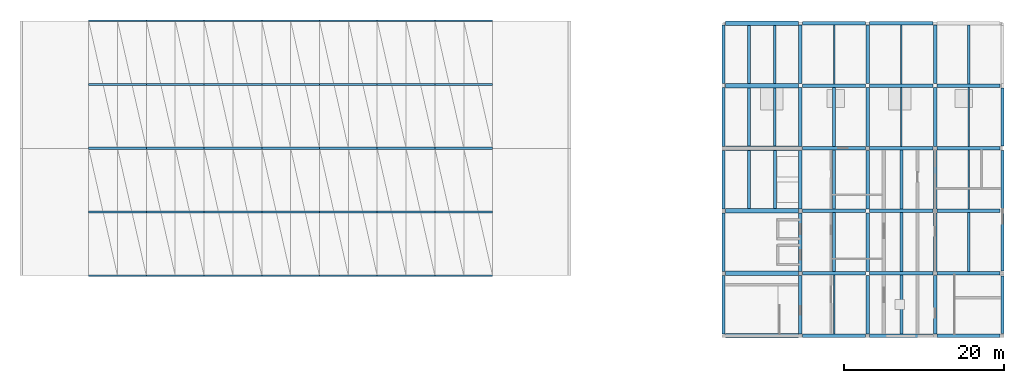
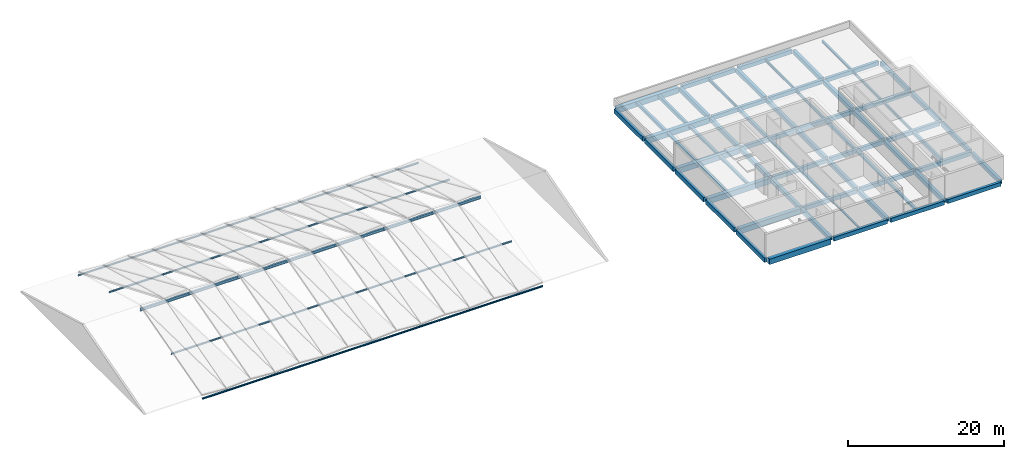
# One storey, part 1 of 6: 74 beams, 28 members.
"""IFC4 building model written with IfcOpenShell, lengths in metres."""

from ifc_helpers import new_model, si_unit, direction, frame, origin, origin_2d, place, context, subcontext, project, spatial, rectangle, i_section, extrude, material, material_profile, profile_set, type_object, element, save


model = new_model("IFC4")

# Units and contexts
model_context = context("Model", 3, precision=1e-05, world=origin(), true_north=direction((0.0, 1.0)))
body_context = subcontext(model_context, "Body", "Model", "MODEL_VIEW")
ifc_project = project(units=[si_unit("LENGTHUNIT", "METRE"), si_unit("AREAUNIT", "SQUARE_METRE"), si_unit("VOLUMEUNIT", "CUBIC_METRE"), si_unit("PLANEANGLEUNIT", "RADIAN"), si_unit("MASSUNIT", "GRAM", prefix="KILO")], contexts=[model_context])

# Site, building, storey
site_placement = place(None, origin())
site = spatial("IfcSite", under=ifc_project, at=site_placement, CompositionType="ELEMENT")
building_placement = place(site_placement, origin())
building = spatial("IfcBuilding", under=site, at=building_placement, Name="Pellamere Symphony Hall", CompositionType="ELEMENT")
storey_placement = place(building_placement, frame((0.0, 0.0, 28.5)))
storey = spatial("IfcBuildingStorey", under=building, at=storey_placement, Name="RF", CompositionType="ELEMENT", Elevation=28.5)

# Beams
ifc_material_1 = material(Name="Concrete 40 MPa", Category="concrete")
ifc_material_profile_1 = material_profile(ifc_material_1, rectangle(XDim=0.60009765625, YDim=0.85009765625, at=origin_2d()), Name="RC 600x850")
ifc_profile_set_1 = profile_set([ifc_material_profile_1], Name="Concrete 40 MPa")
beam_type_1 = type_object("IfcBeamType", Name="RC CB-04 600x850", PredefinedType="BEAM", material=ifc_profile_set_1)
for number, where, z_axis, x_axis, name in (
    (1, (138.25, 38.39990234375, -0.68505859375), (1.0, 0.0, 0.0), (0.0, 1.0, 0.0), "Girder CB-04-X2190 (RF)"),
    (2, (138.25, 46.199951171875, -0.68505859375), (1.0, 0.0, 0.0), (0.0, 1.0, 0.0), "Girder CB-04-X2194 (RF)"),
    (3, (138.25, 54.0, -0.68505859375), (1.0, 0.0, 0.0), (0.0, 1.0, 0.0), "Girder CB-04-X2198 (RF)"),
    (4, (138.25, 61.800048828125, -0.68505859375), (1.0, 0.0, 0.0), (0.0, 1.0, 0.0), "Girder CB-04-X2202 (RF)"),
    (5, (138.25, 69.60009765625, -0.68505859375), (1.0, 0.0, 0.0), (0.0, 1.0, 0.0), "Girder CB-04-X2206 (RF)"),
    (6, (138.25, 77.39990234375, -0.68505859375), (1.0, 0.0, 0.0), (0.0, 1.0, 0.0), "Girder CB-04-X2210 (RF)"),
):
    element("IfcBeam", number, at=place(storey_placement, frame(where, z_axis=z_axis, x_axis=x_axis)), inside=storey, type_object=beam_type_1, Name=name, PredefinedType="BEAM", context=body_context, shape_type="SweptSolid", body=[
        extrude(rectangle(XDim=0.60009765625, YDim=0.85009765625, at=origin_2d()), origin(), (0.0, 0.0, 1.0), 9.10009765625),
    ])
ifc_material_profile_2 = material_profile(ifc_material_1, rectangle(XDim=0.449951171875, YDim=0.64990234375, at=origin_2d()), Name="RC 450x650")
ifc_profile_set_2 = profile_set([ifc_material_profile_2], Name="Concrete 40 MPa")
beam_type_2 = type_object("IfcBeamType", Name="RC CB-08 450x650", PredefinedType="BEAM", material=ifc_profile_set_2)
for number, where, z_axis, x_axis, name in (
    (7, (147.60009765625, 38.64990234375, -0.5849609375), (0.0, 1.0, 0.0), (-1.0, 0.0, 0.0), "Girder CB-08-Y2219 (RF)"),
    (8, (147.60009765625, 46.449951171875, -0.5849609375), (0.0, 1.0, 0.0), (-1.0, 0.0, 0.0), "Girder CB-08-Y2220 (RF)"),
    (9, (147.60009765625, 54.25, -0.5849609375), (0.0, 1.0, 0.0), (-1.0, 0.0, 0.0), "Girder CB-08-Y2221 (RF)"),
    (10, (147.60009765625, 62.050048828125, -0.5849609375), (0.0, 1.0, 0.0), (-1.0, 0.0, 0.0), "Girder CB-08-Y2222 (RF)"),
):
    element("IfcBeam", number, at=place(storey_placement, frame(where, z_axis=z_axis, x_axis=x_axis)), inside=storey, type_object=beam_type_2, Name=name, PredefinedType="BEAM", context=body_context, shape_type="SweptSolid", body=[
        extrude(rectangle(XDim=0.449951171875, YDim=0.64990234375, at=origin_2d()), origin(), (0.0, 0.0, 1.0), 7.300048828125),
    ])
beam_1_placement = place(storey_placement, frame((147.60009765625, 69.85009765625, -0.5849609375), z_axis=(0.0, 1.0, 0.0), x_axis=(-1.0, 0.0, 0.0)))
element("IfcBeam", 11, at=beam_1_placement, inside=storey, type_object=beam_type_2, Name="Girder CB-08-Y2223 (RF)", PredefinedType="BEAM", context=body_context, shape_type="SweptSolid", body=[
    extrude(rectangle(XDim=0.449951171875, YDim=0.64990234375, at=origin_2d()), origin(), (0.0, 0.0, 1.0), 7.2998046875),
])
for number, where, z_axis, x_axis, name in (
    (12, (156.0, 38.64990234375, -0.5849609375), (0.0, 1.0, 0.0), (-1.0, 0.0, 0.0), "Girder CB-08-Y2224 (RF)"),
    (13, (156.0, 46.449951171875, -0.5849609375), (0.0, 1.0, 0.0), (-1.0, 0.0, 0.0), "Girder CB-08-Y2225 (RF)"),
    (14, (156.0, 54.25, -0.5849609375), (0.0, 1.0, 0.0), (-1.0, 0.0, 0.0), "Girder CB-08-Y2226 (RF)"),
    (15, (156.0, 62.050048828125, -0.5849609375), (0.0, 1.0, 0.0), (-1.0, 0.0, 0.0), "Girder CB-08-Y2227 (RF)"),
):
    element("IfcBeam", number, at=place(storey_placement, frame(where, z_axis=z_axis, x_axis=x_axis)), inside=storey, type_object=beam_type_2, Name=name, PredefinedType="BEAM", context=body_context, shape_type="SweptSolid", body=[
        extrude(rectangle(XDim=0.449951171875, YDim=0.64990234375, at=origin_2d()), origin(), (0.0, 0.0, 1.0), 7.300048828125),
    ])
beam_2_placement = place(storey_placement, frame((156.0, 69.85009765625, -0.5849609375), z_axis=(0.0, 1.0, 0.0), x_axis=(-1.0, 0.0, 0.0)))
element("IfcBeam", 16, at=beam_2_placement, inside=storey, type_object=beam_type_2, Name="Girder CB-08-Y2228 (RF)", PredefinedType="BEAM", context=body_context, shape_type="SweptSolid", body=[
    extrude(rectangle(XDim=0.449951171875, YDim=0.64990234375, at=origin_2d()), origin(), (0.0, 0.0, 1.0), 7.2998046875),
])
for number, where, z_axis, x_axis, name in (
    (17, (164.39990234375, 38.64990234375, -0.5849609375), (0.0, 1.0, 0.0), (-1.0, 0.0, 0.0), "Girder CB-08-Y2229 (RF)"),
    (18, (164.39990234375, 46.449951171875, -0.5849609375), (0.0, 1.0, 0.0), (-1.0, 0.0, 0.0), "Girder CB-08-Y2230 (RF)"),
    (19, (164.39990234375, 54.25, -0.5849609375), (0.0, 1.0, 0.0), (-1.0, 0.0, 0.0), "Girder CB-08-Y2231 (RF)"),
    (20, (164.39990234375, 62.050048828125, -0.5849609375), (0.0, 1.0, 0.0), (-1.0, 0.0, 0.0), "Girder CB-08-Y2232 (RF)"),
):
    element("IfcBeam", number, at=place(storey_placement, frame(where, z_axis=z_axis, x_axis=x_axis)), inside=storey, type_object=beam_type_2, Name=name, PredefinedType="BEAM", context=body_context, shape_type="SweptSolid", body=[
        extrude(rectangle(XDim=0.449951171875, YDim=0.64990234375, at=origin_2d()), origin(), (0.0, 0.0, 1.0), 7.300048828125),
    ])
beam_3_placement = place(storey_placement, frame((164.39990234375, 69.85009765625, -0.5849609375), z_axis=(0.0, 1.0, 0.0), x_axis=(-1.0, 0.0, 0.0)))
element("IfcBeam", 21, at=beam_3_placement, inside=storey, type_object=beam_type_2, Name="Girder CB-08-Y2233 (RF)", PredefinedType="BEAM", context=body_context, shape_type="SweptSolid", body=[
    extrude(rectangle(XDim=0.449951171875, YDim=0.64990234375, at=origin_2d()), origin(), (0.0, 0.0, 1.0), 7.2998046875),
])
ifc_material_2 = material(Name="Concrete 35 MPa", Category="concrete")
ifc_material_profile_3 = material_profile(ifc_material_2, rectangle(XDim=0.35009765625, YDim=0.5, at=origin_2d()), Name="RC 350x500")
ifc_profile_set_3 = profile_set([ifc_material_profile_3], Name="Concrete 35 MPa")
beam_type_3 = type_object("IfcBeamType", Name="RC CB-11 350x500", PredefinedType="BEAM", material=ifc_profile_set_3)
for number, where, z_axis, x_axis, name in (
    (22, (141.199951171875, 69.89990234375, -0.52490234375), (0.0, 1.0, 0.0), (-1.0, 0.0, 0.0), "Secondary Floor Beam CB-11-A1709 (RF)"),
    (23, (144.39990234375, 69.89990234375, -0.52490234375), (0.0, 1.0, 0.0), (-1.0, 0.0, 0.0), "Secondary Floor Beam CB-11-B1709 (RF)"),
):
    element("IfcBeam", number, at=place(storey_placement, frame(where, z_axis=z_axis, x_axis=x_axis)), inside=storey, type_object=beam_type_3, Name=name, PredefinedType="BEAM", context=body_context, shape_type="SweptSolid", body=[
        extrude(rectangle(XDim=0.35009765625, YDim=0.5, at=origin_2d()), origin(), (0.0, 0.0, 1.0), 7.2001953125),
    ])
beam_4_placement = place(storey_placement, frame((151.800048828125, 62.010009765625, -0.52490234375), z_axis=(0.0, 1.0, 0.0), x_axis=(-1.0, 0.0, 0.0)))
element("IfcBeam", 24, at=beam_4_placement, inside=storey, type_object=beam_type_3, Name="Secondary Floor Beam CB-11-M1808 (RF)", PredefinedType="BEAM", context=body_context, shape_type="SweptSolid", body=[
    extrude(rectangle(XDim=0.35009765625, YDim=0.5, at=origin_2d()), origin(), (0.0, 0.0, 1.0), 7.3798828125),
])
for number, where, z_axis, x_axis, name in (
    (25, (160.199951171875, 54.2099609375, -0.52490234375), (0.0, 1.0, 0.0), (-1.0, 0.0, 0.0), "Secondary Floor Beam CB-11-M1907 (RF)"),
    (26, (168.60009765625, 46.409912109375, -0.52490234375), (0.0, 1.0, 0.0), (-1.0, 0.0, 0.0), "Secondary Floor Beam CB-11-M2006 (RF)"),
):
    element("IfcBeam", number, at=place(storey_placement, frame(where, z_axis=z_axis, x_axis=x_axis)), inside=storey, type_object=beam_type_3, Name=name, PredefinedType="BEAM", context=body_context, shape_type="SweptSolid", body=[
        extrude(rectangle(XDim=0.35009765625, YDim=0.5, at=origin_2d()), origin(), (0.0, 0.0, 1.0), 7.380126953125),
    ])
ifc_material_profile_4 = material_profile(ifc_material_1, rectangle(XDim=0.39990234375, YDim=0.699951171875, at=origin_2d()), Name="RC 400x700")
ifc_profile_set_4 = profile_set([ifc_material_profile_4], Name="Concrete 40 MPa")
beam_type_4 = type_object("IfcBeamType", Name="RC CB-13 400x700", PredefinedType="SPANDREL", material=ifc_profile_set_4)
for number, where, z_axis, x_axis, name in (
    (27, (138.0, 38.64990234375, -0.610107421875), (0.0, 1.0, 0.0), (-1.0, 0.0, 0.0), "Girder CB-13-Y2214 (RF)"),
    (28, (138.0, 46.449951171875, -0.610107421875), (0.0, 1.0, 0.0), (-1.0, 0.0, 0.0), "Girder CB-13-Y2215 (RF)"),
    (29, (138.0, 54.25, -0.610107421875), (0.0, 1.0, 0.0), (-1.0, 0.0, 0.0), "Girder CB-13-Y2216 (RF)"),
    (30, (138.0, 62.050048828125, -0.610107421875), (0.0, 1.0, 0.0), (-1.0, 0.0, 0.0), "Girder CB-13-Y2217 (RF)"),
):
    element("IfcBeam", number, at=place(storey_placement, frame(where, z_axis=z_axis, x_axis=x_axis)), inside=storey, type_object=beam_type_4, Name=name, PredefinedType="SPANDREL", context=body_context, shape_type="SweptSolid", body=[
        extrude(rectangle(XDim=0.39990234375, YDim=0.699951171875, at=origin_2d()), origin(), (0.0, 0.0, 1.0), 7.300048828125),
    ])
beam_5_placement = place(storey_placement, frame((138.0, 69.85009765625, -0.610107421875), z_axis=(0.0, 1.0, 0.0), x_axis=(-1.0, 0.0, 0.0)))
element("IfcBeam", 31, at=beam_5_placement, inside=storey, type_object=beam_type_4, Name="Girder CB-13-Y2218 (RF)", PredefinedType="SPANDREL", context=body_context, shape_type="SweptSolid", body=[
    extrude(rectangle(XDim=0.39990234375, YDim=0.699951171875, at=origin_2d()), origin(), (0.0, 0.0, 1.0), 7.2998046875),
])
for number, where, z_axis, x_axis, name in (
    (32, (172.800048828125, 38.7099609375, -0.610107421875), (0.0, 1.0, 0.0), (-1.0, 0.0, 0.0), "Girder CB-13-Y2234 (RF)"),
    (33, (172.800048828125, 46.510009765625, -0.610107421875), (0.0, 1.0, 0.0), (-1.0, 0.0, 0.0), "Girder CB-13-Y2235 (RF)"),
    (34, (172.800048828125, 54.31005859375, -0.610107421875), (0.0, 1.0, 0.0), (-1.0, 0.0, 0.0), "Girder CB-13-Y2236 (RF)"),
    (35, (172.800048828125, 62.110107421875, -0.610107421875), (0.0, 1.0, 0.0), (-1.0, 0.0, 0.0), "Girder CB-13-Y2237 (RF)"),
):
    element("IfcBeam", number, at=place(storey_placement, frame(where, z_axis=z_axis, x_axis=x_axis)), inside=storey, type_object=beam_type_4, Name=name, PredefinedType="SPANDREL", context=body_context, shape_type="SweptSolid", body=[
        extrude(rectangle(XDim=0.39990234375, YDim=0.699951171875, at=origin_2d()), origin(), (0.0, 0.0, 1.0), 7.179931640625),
    ])
ifc_material_profile_5 = material_profile(ifc_material_1, rectangle(XDim=0.419921875, YDim=0.6201171875, at=origin_2d()), Name="RC 420x620")
ifc_profile_set_5 = profile_set([ifc_material_profile_5], Name="Concrete 40 MPa")
beam_type_5 = type_object("IfcBeamType", Name="RC CB-16 420x620", PredefinedType="BEAM", material=ifc_profile_set_5)
for number, where, z_axis, x_axis, name in (
    (36, (147.85009765625, 38.39990234375, -0.570068359375), (1.0, 0.0, 0.0), (0.0, 1.0, 0.0), "Girder CB-16-X2191 (RF)"),
    (37, (156.25, 38.39990234375, -0.570068359375), (1.0, 0.0, 0.0), (0.0, 1.0, 0.0), "Girder CB-16-X2192 (RF)"),
):
    element("IfcBeam", number, at=place(storey_placement, frame(where, z_axis=z_axis, x_axis=x_axis)), inside=storey, type_object=beam_type_5, Name=name, PredefinedType="BEAM", context=body_context, shape_type="SweptSolid", body=[
        extrude(rectangle(XDim=0.419921875, YDim=0.6201171875, at=origin_2d()), origin(), (0.0, 0.0, 1.0), 7.89990234375),
    ])
beam_6_placement = place(storey_placement, frame((164.64990234375, 38.39990234375, -0.570068359375), z_axis=(1.0, 0.0, 0.0), x_axis=(0.0, 1.0, 0.0)))
element("IfcBeam", 38, at=beam_6_placement, inside=storey, type_object=beam_type_5, Name="Girder CB-16-X2193 (RF)", PredefinedType="BEAM", context=body_context, shape_type="SweptSolid", body=[
    extrude(rectangle(XDim=0.419921875, YDim=0.6201171875, at=origin_2d()), origin(), (0.0, 0.0, 1.0), 7.840087890625),
])
for number, where, z_axis, x_axis, name in (
    (39, (147.85009765625, 46.199951171875, -0.570068359375), (1.0, 0.0, 0.0), (0.0, 1.0, 0.0), "Girder CB-16-X2195 (RF)"),
    (40, (156.25, 46.199951171875, -0.570068359375), (1.0, 0.0, 0.0), (0.0, 1.0, 0.0), "Girder CB-16-X2196 (RF)"),
):
    element("IfcBeam", number, at=place(storey_placement, frame(where, z_axis=z_axis, x_axis=x_axis)), inside=storey, type_object=beam_type_5, Name=name, PredefinedType="BEAM", context=body_context, shape_type="SweptSolid", body=[
        extrude(rectangle(XDim=0.419921875, YDim=0.6201171875, at=origin_2d()), origin(), (0.0, 0.0, 1.0), 7.89990234375),
    ])
beam_7_placement = place(storey_placement, frame((164.64990234375, 46.199951171875, -0.570068359375), z_axis=(1.0, 0.0, 0.0), x_axis=(0.0, 1.0, 0.0)))
element("IfcBeam", 41, at=beam_7_placement, inside=storey, type_object=beam_type_5, Name="Girder CB-16-X2197 (RF)", PredefinedType="BEAM", context=body_context, shape_type="SweptSolid", body=[
    extrude(rectangle(XDim=0.419921875, YDim=0.6201171875, at=origin_2d()), origin(), (0.0, 0.0, 1.0), 7.840087890625),
])
for number, where, z_axis, x_axis, name in (
    (42, (147.85009765625, 54.0, -0.570068359375), (1.0, 0.0, 0.0), (0.0, 1.0, 0.0), "Girder CB-16-X2199 (RF)"),
    (43, (156.25, 54.0, -0.570068359375), (1.0, 0.0, 0.0), (0.0, 1.0, 0.0), "Girder CB-16-X2200 (RF)"),
):
    element("IfcBeam", number, at=place(storey_placement, frame(where, z_axis=z_axis, x_axis=x_axis)), inside=storey, type_object=beam_type_5, Name=name, PredefinedType="BEAM", context=body_context, shape_type="SweptSolid", body=[
        extrude(rectangle(XDim=0.419921875, YDim=0.6201171875, at=origin_2d()), origin(), (0.0, 0.0, 1.0), 7.89990234375),
    ])
beam_8_placement = place(storey_placement, frame((164.64990234375, 54.0, -0.570068359375), z_axis=(1.0, 0.0, 0.0), x_axis=(0.0, 1.0, 0.0)))
element("IfcBeam", 44, at=beam_8_placement, inside=storey, type_object=beam_type_5, Name="Girder CB-16-X2201 (RF)", PredefinedType="BEAM", context=body_context, shape_type="SweptSolid", body=[
    extrude(rectangle(XDim=0.419921875, YDim=0.6201171875, at=origin_2d()), origin(), (0.0, 0.0, 1.0), 7.840087890625),
])
for number, where, z_axis, x_axis, name in (
    (45, (147.85009765625, 61.800048828125, -0.570068359375), (1.0, 0.0, 0.0), (0.0, 1.0, 0.0), "Girder CB-16-X2203 (RF)"),
    (46, (156.25, 61.800048828125, -0.570068359375), (1.0, 0.0, 0.0), (0.0, 1.0, 0.0), "Girder CB-16-X2204 (RF)"),
):
    element("IfcBeam", number, at=place(storey_placement, frame(where, z_axis=z_axis, x_axis=x_axis)), inside=storey, type_object=beam_type_5, Name=name, PredefinedType="BEAM", context=body_context, shape_type="SweptSolid", body=[
        extrude(rectangle(XDim=0.419921875, YDim=0.6201171875, at=origin_2d()), origin(), (0.0, 0.0, 1.0), 7.89990234375),
    ])
beam_9_placement = place(storey_placement, frame((164.64990234375, 61.800048828125, -0.570068359375), z_axis=(1.0, 0.0, 0.0), x_axis=(0.0, 1.0, 0.0)))
element("IfcBeam", 47, at=beam_9_placement, inside=storey, type_object=beam_type_5, Name="Girder CB-16-X2205 (RF)", PredefinedType="BEAM", context=body_context, shape_type="SweptSolid", body=[
    extrude(rectangle(XDim=0.419921875, YDim=0.6201171875, at=origin_2d()), origin(), (0.0, 0.0, 1.0), 7.840087890625),
])
for number, where, z_axis, x_axis, name in (
    (48, (147.85009765625, 69.60009765625, -0.570068359375), (1.0, 0.0, 0.0), (0.0, 1.0, 0.0), "Girder CB-16-X2207 (RF)"),
    (49, (156.25, 69.60009765625, -0.570068359375), (1.0, 0.0, 0.0), (0.0, 1.0, 0.0), "Girder CB-16-X2208 (RF)"),
):
    element("IfcBeam", number, at=place(storey_placement, frame(where, z_axis=z_axis, x_axis=x_axis)), inside=storey, type_object=beam_type_5, Name=name, PredefinedType="BEAM", context=body_context, shape_type="SweptSolid", body=[
        extrude(rectangle(XDim=0.419921875, YDim=0.6201171875, at=origin_2d()), origin(), (0.0, 0.0, 1.0), 7.89990234375),
    ])
beam_10_placement = place(storey_placement, frame((164.64990234375, 69.60009765625, -0.570068359375), z_axis=(1.0, 0.0, 0.0), x_axis=(0.0, 1.0, 0.0)))
element("IfcBeam", 50, at=beam_10_placement, inside=storey, type_object=beam_type_5, Name="Girder CB-16-X2209 (RF)", PredefinedType="BEAM", context=body_context, shape_type="SweptSolid", body=[
    extrude(rectangle(XDim=0.419921875, YDim=0.6201171875, at=origin_2d()), origin(), (0.0, 0.0, 1.0), 7.840087890625),
])
for number, where, z_axis, x_axis, name in (
    (51, (147.85009765625, 77.39990234375, -0.570068359375), (1.0, 0.0, 0.0), (0.0, 1.0, 0.0), "Girder CB-16-X2211 (RF)"),
    (52, (156.25, 77.39990234375, -0.570068359375), (1.0, 0.0, 0.0), (0.0, 1.0, 0.0), "Girder CB-16-X2212 (RF)"),
):
    element("IfcBeam", number, at=place(storey_placement, frame(where, z_axis=z_axis, x_axis=x_axis)), inside=storey, type_object=beam_type_5, Name=name, PredefinedType="BEAM", context=body_context, shape_type="SweptSolid", body=[
        extrude(rectangle(XDim=0.419921875, YDim=0.6201171875, at=origin_2d()), origin(), (0.0, 0.0, 1.0), 7.89990234375),
    ])
ifc_material_3 = material(Name="Steel CSA G40.21 350W", Category="steel")
ifc_material_profile_6 = material_profile(ifc_material_3, i_section(OverallWidth=0.260986328125, OverallDepth=0.419921875, WebThickness=0.01171875, FlangeThickness=0.019287109375, at=origin_2d()), Name="W410X114")
ifc_profile_set_6 = profile_set([ifc_material_profile_6], Name="Steel CSA G40.21 350W")
beam_type_6 = type_object("IfcBeamType", Name="Steel Beam SB-18 W410X114", PredefinedType="BEAM", material=ifc_profile_set_6)
for number, where, z_axis, x_axis, name in (
    (53, (58.800048828125, 61.800048828125, 5.284912109375), (1.0, 0.0, 0.0), (0.0, 1.0, 0.0), "Roof Truss Ridge Girder 1"),
    (54, (66.0, 61.800048828125, 5.284912109375), (1.0, 0.0, 0.0), (0.0, 1.0, 0.0), "Roof Truss Ridge Girder 2"),
    (55, (73.199951171875, 61.800048828125, 5.284912109375), (1.0, 0.0, 0.0), (0.0, 1.0, 0.0), "Roof Truss Ridge Girder 3"),
):
    element("IfcBeam", number, at=place(storey_placement, frame(where, z_axis=z_axis, x_axis=x_axis)), inside=storey, type_object=beam_type_6, Name=name, PredefinedType="BEAM", context=body_context, shape_type="SweptSolid", body=[
        extrude(i_section(OverallWidth=0.260986328125, OverallDepth=0.419921875, WebThickness=0.01171875, FlangeThickness=0.019287109375, at=origin_2d()), origin(), (0.0, 0.0, 1.0), 7.199951171875),
    ])
beam_11_placement = place(storey_placement, frame((80.39990234375, 61.800048828125, 5.284912109375), z_axis=(1.0, 0.0, 0.0), x_axis=(0.0, 1.0, 0.0)))
element("IfcBeam", 56, at=beam_11_placement, inside=storey, type_object=beam_type_6, Name="Roof Truss Ridge Girder 4", PredefinedType="BEAM", context=body_context, shape_type="SweptSolid", body=[
    extrude(i_section(OverallWidth=0.260986328125, OverallDepth=0.419921875, WebThickness=0.01171875, FlangeThickness=0.019287109375, at=origin_2d()), origin(), (0.0, 0.0, 1.0), 7.2001953125),
])
for number, where, z_axis, x_axis, name in (
    (57, (87.60009765625, 61.800048828125, 5.284912109375), (1.0, 0.0, 0.0), (0.0, 1.0, 0.0), "Roof Truss Ridge Girder 5"),
    (58, (94.800048828125, 61.800048828125, 5.284912109375), (1.0, 0.0, 0.0), (0.0, 1.0, 0.0), "Roof Truss Ridge Girder 6"),
    (59, (102.0, 61.800048828125, 5.284912109375), (1.0, 0.0, 0.0), (0.0, 1.0, 0.0), "Roof Truss Ridge Girder 7"),
):
    element("IfcBeam", number, at=place(storey_placement, frame(where, z_axis=z_axis, x_axis=x_axis)), inside=storey, type_object=beam_type_6, Name=name, PredefinedType="BEAM", context=body_context, shape_type="SweptSolid", body=[
        extrude(i_section(OverallWidth=0.260986328125, OverallDepth=0.419921875, WebThickness=0.01171875, FlangeThickness=0.019287109375, at=origin_2d()), origin(), (0.0, 0.0, 1.0), 7.199951171875),
    ])
ifc_material_profile_7 = material_profile(ifc_material_3, i_section(OverallWidth=0.3740234375, OverallDepth=0.3720703125, WebThickness=0.016357421875, FlangeThickness=0.026123046875, at=origin_2d()), Name="W360X196")
ifc_profile_set_7 = profile_set([ifc_material_profile_7], Name="Steel CSA G40.21 350W")
beam_type_7 = type_object("IfcBeamType", Name="Steel Beam SB-27 W360X196", PredefinedType="BEAM", material=ifc_profile_set_7)
for number, where, z_axis, x_axis, name in (
    (60, (141.199951171875, 54.300048828125, -0.4609375), (0.0, 1.0, 0.0), (-1.0, 0.0, 0.0), "Secondary Floor Beam SB-27-A1707 (RF)"),
    (61, (144.39990234375, 54.300048828125, -0.4609375), (0.0, 1.0, 0.0), (-1.0, 0.0, 0.0), "Secondary Floor Beam SB-27-B1707 (RF)"),
):
    element("IfcBeam", number, at=place(storey_placement, frame(where, z_axis=z_axis, x_axis=x_axis)), inside=storey, type_object=beam_type_7, Name=name, PredefinedType="BEAM", context=body_context, shape_type="SweptSolid", body=[
        extrude(i_section(OverallWidth=0.3740234375, OverallDepth=0.3720703125, WebThickness=0.016357421875, FlangeThickness=0.026123046875, at=origin_2d()), origin(), (0.0, 0.0, 1.0), 7.199951171875),
    ])
beam_12_placement = place(storey_placement, frame((151.800048828125, 46.409912109375, -0.4609375), z_axis=(0.0, 1.0, 0.0), x_axis=(-1.0, 0.0, 0.0)))
element("IfcBeam", 62, at=beam_12_placement, inside=storey, type_object=beam_type_7, Name="Secondary Floor Beam SB-27-M1806 (RF)", PredefinedType="BEAM", context=body_context, shape_type="SweptSolid", body=[
    extrude(i_section(OverallWidth=0.3740234375, OverallDepth=0.3720703125, WebThickness=0.016357421875, FlangeThickness=0.026123046875, at=origin_2d()), origin(), (0.0, 0.0, 1.0), 7.380126953125),
])
beam_13_placement = place(storey_placement, frame((160.199951171875, 38.610107421875, -0.4609375), z_axis=(0.0, 1.0, 0.0), x_axis=(-1.0, 0.0, 0.0)))
element("IfcBeam", 63, at=beam_13_placement, inside=storey, type_object=beam_type_7, Name="Secondary Floor Beam SB-27-M1905 (RF)", PredefinedType="BEAM", context=body_context, shape_type="SweptSolid", body=[
    extrude(i_section(OverallWidth=0.3740234375, OverallDepth=0.3720703125, WebThickness=0.016357421875, FlangeThickness=0.026123046875, at=origin_2d()), origin(), (0.0, 0.0, 1.0), 7.3798828125),
])
ifc_material_profile_8 = material_profile(ifc_material_3, i_section(OverallWidth=0.368896484375, OverallDepth=0.35595703125, WebThickness=0.01123046875, FlangeThickness=0.01806640625, at=origin_2d()), Name="W360X134")
ifc_profile_set_8 = profile_set([ifc_material_profile_8], Name="Steel CSA G40.21 350W")
beam_type_8 = type_object("IfcBeamType", Name="Steel Beam SB-28 W360X134", PredefinedType="BEAM", material=ifc_profile_set_8)
for number, where, z_axis, x_axis, name in (
    (64, (141.199951171875, 62.10009765625, -0.452880859375), (0.0, 1.0, 0.0), (-1.0, 0.0, 0.0), "Secondary Floor Beam SB-28-A1708 (RF)"),
    (65, (144.39990234375, 62.10009765625, -0.452880859375), (0.0, 1.0, 0.0), (-1.0, 0.0, 0.0), "Secondary Floor Beam SB-28-B1708 (RF)"),
):
    element("IfcBeam", number, at=place(storey_placement, frame(where, z_axis=z_axis, x_axis=x_axis)), inside=storey, type_object=beam_type_8, Name=name, PredefinedType="BEAM", context=body_context, shape_type="SweptSolid", body=[
        extrude(i_section(OverallWidth=0.368896484375, OverallDepth=0.35595703125, WebThickness=0.01123046875, FlangeThickness=0.01806640625, at=origin_2d()), origin(), (0.0, 0.0, 1.0), 7.199951171875),
    ])
for number, where, z_axis, x_axis, name in (
    (66, (151.800048828125, 54.2099609375, -0.452880859375), (0.0, 1.0, 0.0), (-1.0, 0.0, 0.0), "Secondary Floor Beam SB-28-M1807 (RF)"),
    (67, (160.199951171875, 46.409912109375, -0.452880859375), (0.0, 1.0, 0.0), (-1.0, 0.0, 0.0), "Secondary Floor Beam SB-28-M1906 (RF)"),
):
    element("IfcBeam", number, at=place(storey_placement, frame(where, z_axis=z_axis, x_axis=x_axis)), inside=storey, type_object=beam_type_8, Name=name, PredefinedType="BEAM", context=body_context, shape_type="SweptSolid", body=[
        extrude(i_section(OverallWidth=0.368896484375, OverallDepth=0.35595703125, WebThickness=0.01123046875, FlangeThickness=0.01806640625, at=origin_2d()), origin(), (0.0, 0.0, 1.0), 7.380126953125),
    ])
ifc_material_profile_9 = material_profile(ifc_material_3, i_section(OverallWidth=0.19091796875, OverallDepth=0.4599609375, WebThickness=0.010009765625, FlangeThickness=0.014404296875, at=origin_2d()), Name="W460X82")
ifc_profile_set_9 = profile_set([ifc_material_profile_9], Name="Steel CSA G40.21 350W")
beam_type_9 = type_object("IfcBeamType", Name="Steel Joist SB-17 W460X82", PredefinedType="JOIST", material=ifc_profile_set_9)
for number, where, z_axis, x_axis, name in (
    (68, (151.800048828125, 69.81005859375, -0.5048828125), (0.0, 1.0, 0.0), (-1.0, 0.0, 0.0), "Secondary Floor Beam SB-17-M1809 (RF)"),
    (69, (160.199951171875, 62.010009765625, -0.5048828125), (0.0, 1.0, 0.0), (-1.0, 0.0, 0.0), "Secondary Floor Beam SB-17-M1908 (RF)"),
):
    element("IfcBeam", number, at=place(storey_placement, frame(where, z_axis=z_axis, x_axis=x_axis)), inside=storey, type_object=beam_type_9, Name=name, PredefinedType="JOIST", context=body_context, shape_type="SweptSolid", body=[
        extrude(i_section(OverallWidth=0.19091796875, OverallDepth=0.4599609375, WebThickness=0.010009765625, FlangeThickness=0.014404296875, at=origin_2d()), origin(), (0.0, 0.0, 1.0), 7.3798828125),
    ])
beam_14_placement = place(storey_placement, frame((168.60009765625, 54.2099609375, -0.5048828125), z_axis=(0.0, 1.0, 0.0), x_axis=(-1.0, 0.0, 0.0)))
element("IfcBeam", 70, at=beam_14_placement, inside=storey, type_object=beam_type_9, Name="Secondary Floor Beam SB-17-M2007 (RF)", PredefinedType="JOIST", context=body_context, shape_type="SweptSolid", body=[
    extrude(i_section(OverallWidth=0.19091796875, OverallDepth=0.4599609375, WebThickness=0.010009765625, FlangeThickness=0.014404296875, at=origin_2d()), origin(), (0.0, 0.0, 1.0), 7.380126953125),
])
ifc_material_profile_10 = material_profile(ifc_material_3, i_section(OverallWidth=0.179931640625, OverallDepth=0.4130859375, WebThickness=0.009765625, FlangeThickness=0.01513671875, at=origin_2d()), Name="W410X74")
ifc_profile_set_10 = profile_set([ifc_material_profile_10], Name="Steel CSA G40.21 350W")
beam_type_10 = type_object("IfcBeamType", Name="Steel Joist SB-19 W410X74", PredefinedType="JOIST", material=ifc_profile_set_10)
for number, where, z_axis, x_axis, name in (
    (71, (160.199951171875, 69.81005859375, -0.4814453125), (0.0, 1.0, 0.0), (-1.0, 0.0, 0.0), "Secondary Floor Beam SB-19-M1909 (RF)"),
    (72, (168.60009765625, 62.010009765625, -0.4814453125), (0.0, 1.0, 0.0), (-1.0, 0.0, 0.0), "Secondary Floor Beam SB-19-M2008 (RF)"),
):
    element("IfcBeam", number, at=place(storey_placement, frame(where, z_axis=z_axis, x_axis=x_axis)), inside=storey, type_object=beam_type_10, Name=name, PredefinedType="JOIST", context=body_context, shape_type="SweptSolid", body=[
        extrude(i_section(OverallWidth=0.179931640625, OverallDepth=0.4130859375, WebThickness=0.009765625, FlangeThickness=0.01513671875, at=origin_2d()), origin(), (0.0, 0.0, 1.0), 7.3798828125),
    ])
ifc_material_profile_11 = material_profile(ifc_material_3, i_section(OverallWidth=0.25390625, OverallDepth=0.35302734375, WebThickness=0.009521484375, FlangeThickness=0.016357421875, at=origin_2d()), Name="W360X91")
ifc_profile_set_11 = profile_set([ifc_material_profile_11], Name="Steel CSA G40.21 350W")
beam_type_11 = type_object("IfcBeamType", Name="Steel Joist SB-20 W360X91", PredefinedType="JOIST", material=ifc_profile_set_11)
beam_15_placement = place(storey_placement, frame((168.60009765625, 69.81005859375, -0.451416015625), z_axis=(0.0, 1.0, 0.0), x_axis=(-1.0, 0.0, 0.0)))
element("IfcBeam", 73, at=beam_15_placement, inside=storey, type_object=beam_type_11, Name="Secondary Floor Beam SB-20-M2009 (RF)", PredefinedType="JOIST", context=body_context, shape_type="SweptSolid", body=[
    extrude(i_section(OverallWidth=0.25390625, OverallDepth=0.35302734375, WebThickness=0.009521484375, FlangeThickness=0.016357421875, at=origin_2d()), origin(), (0.0, 0.0, 1.0), 7.3798828125),
])
ifc_material_profile_12 = material_profile(ifc_material_3, i_section(OverallWidth=0.201904296875, OverallDepth=0.2470703125, WebThickness=0.00732421875, FlangeThickness=0.010986328125, at=origin_2d()), Name="W250X49")
ifc_profile_set_12 = profile_set([ifc_material_profile_12], Name="Steel CSA G40.21 350W")
beam_type_12 = type_object("IfcBeamType", Name="Steel Joist SB-25 W250X49", PredefinedType="JOIST", material=ifc_profile_set_12)
beam_16_placement = place(storey_placement, frame((151.800048828125, 38.610107421875, -0.3984375), z_axis=(0.0, 1.0, 0.0), x_axis=(-1.0, 0.0, 0.0)))
element("IfcBeam", 74, at=beam_16_placement, inside=storey, type_object=beam_type_12, Name="Secondary Floor Beam SB-25-M1805 (RF)", PredefinedType="JOIST", context=body_context, shape_type="SweptSolid", body=[
    extrude(i_section(OverallWidth=0.201904296875, OverallDepth=0.2470703125, WebThickness=0.00732421875, FlangeThickness=0.010986328125, at=origin_2d()), origin(), (0.0, 0.0, 1.0), 7.3798828125),
])

# Members
ifc_material_profile_13 = material_profile(ifc_material_3, i_section(OverallWidth=0.2041015625, OverallDepth=0.2060546875, WebThickness=0.0078125, FlangeThickness=0.0126953125, at=origin_2d()), Name="W200X52")
ifc_profile_set_13 = profile_set([ifc_material_profile_13], Name="Steel CSA G40.21 350W")
member_type = type_object("IfcMemberType", Name="Steel Member SM-15 W200X52", PredefinedType="PURLIN", material=ifc_profile_set_13)
for number, where, z_axis, x_axis, name in (
    (75, (58.800048828125, 45.89990234375, 1.011962890625), (1.0, 0.0, 0.0), (0.0, 1.0, 0.0), "Folded Roof Purlin 1.2"),
    (76, (58.800048828125, 53.85009765625, 3.201904296875), (1.0, 0.0, 0.0), (0.0, 1.0, 0.0), "Folded Roof Purlin 1.3"),
    (77, (58.800048828125, 69.75, 3.201904296875), (1.0, 0.0, 0.0), (0.0, 1.0, 0.0), "Folded Roof Purlin 1.5"),
    (78, (58.800048828125, 77.699951171875, 1.011962890625), (1.0, 0.0, 0.0), (0.0, 1.0, 0.0), "Folded Roof Purlin 1.6"),
    (79, (66.0, 45.89990234375, 1.011962890625), (1.0, 0.0, 0.0), (0.0, 1.0, 0.0), "Folded Roof Purlin 2.2"),
    (80, (66.0, 53.85009765625, 3.201904296875), (1.0, 0.0, 0.0), (0.0, 1.0, 0.0), "Folded Roof Purlin 2.3"),
    (81, (66.0, 69.75, 3.201904296875), (1.0, 0.0, 0.0), (0.0, 1.0, 0.0), "Folded Roof Purlin 2.5"),
    (82, (66.0, 77.699951171875, 1.011962890625), (1.0, 0.0, 0.0), (0.0, 1.0, 0.0), "Folded Roof Purlin 2.6"),
    (83, (73.199951171875, 45.89990234375, 1.011962890625), (1.0, 0.0, 0.0), (0.0, 1.0, 0.0), "Folded Roof Purlin 3.2"),
    (84, (73.199951171875, 53.85009765625, 3.201904296875), (1.0, 0.0, 0.0), (0.0, 1.0, 0.0), "Folded Roof Purlin 3.3"),
    (85, (73.199951171875, 69.75, 3.201904296875), (1.0, 0.0, 0.0), (0.0, 1.0, 0.0), "Folded Roof Purlin 3.5"),
    (86, (73.199951171875, 77.699951171875, 1.011962890625), (1.0, 0.0, 0.0), (0.0, 1.0, 0.0), "Folded Roof Purlin 3.6"),
):
    element("IfcMember", number, at=place(storey_placement, frame(where, z_axis=z_axis, x_axis=x_axis)), inside=storey, type_object=member_type, Name=name, PredefinedType="PURLIN", context=body_context, shape_type="SweptSolid", body=[
        extrude(i_section(OverallWidth=0.2041015625, OverallDepth=0.2060546875, WebThickness=0.0078125, FlangeThickness=0.0126953125, at=origin_2d()), origin(), (0.0, 0.0, 1.0), 7.199951171875),
    ])
for number, where, z_axis, x_axis, name in (
    (87, (80.39990234375, 45.89990234375, 1.011962890625), (1.0, 0.0, 0.0), (0.0, 1.0, 0.0), "Folded Roof Purlin 4.2"),
    (88, (80.39990234375, 53.85009765625, 3.201904296875), (1.0, 0.0, 0.0), (0.0, 1.0, 0.0), "Folded Roof Purlin 4.3"),
    (89, (80.39990234375, 69.75, 3.201904296875), (1.0, 0.0, 0.0), (0.0, 1.0, 0.0), "Folded Roof Purlin 4.5"),
    (90, (80.39990234375, 77.699951171875, 1.011962890625), (1.0, 0.0, 0.0), (0.0, 1.0, 0.0), "Folded Roof Purlin 4.6"),
):
    element("IfcMember", number, at=place(storey_placement, frame(where, z_axis=z_axis, x_axis=x_axis)), inside=storey, type_object=member_type, Name=name, PredefinedType="PURLIN", context=body_context, shape_type="SweptSolid", body=[
        extrude(i_section(OverallWidth=0.2041015625, OverallDepth=0.2060546875, WebThickness=0.0078125, FlangeThickness=0.0126953125, at=origin_2d()), origin(), (0.0, 0.0, 1.0), 7.2001953125),
    ])
for number, where, z_axis, x_axis, name in (
    (91, (87.60009765625, 45.89990234375, 1.011962890625), (1.0, 0.0, 0.0), (0.0, 1.0, 0.0), "Folded Roof Purlin 5.2"),
    (92, (87.60009765625, 53.85009765625, 3.201904296875), (1.0, 0.0, 0.0), (0.0, 1.0, 0.0), "Folded Roof Purlin 5.3"),
    (93, (87.60009765625, 69.75, 3.201904296875), (1.0, 0.0, 0.0), (0.0, 1.0, 0.0), "Folded Roof Purlin 5.5"),
    (94, (87.60009765625, 77.699951171875, 1.011962890625), (1.0, 0.0, 0.0), (0.0, 1.0, 0.0), "Folded Roof Purlin 5.6"),
    (95, (94.800048828125, 45.89990234375, 1.011962890625), (1.0, 0.0, 0.0), (0.0, 1.0, 0.0), "Folded Roof Purlin 6.2"),
    (96, (94.800048828125, 53.85009765625, 3.201904296875), (1.0, 0.0, 0.0), (0.0, 1.0, 0.0), "Folded Roof Purlin 6.3"),
    (97, (94.800048828125, 69.75, 3.201904296875), (1.0, 0.0, 0.0), (0.0, 1.0, 0.0), "Folded Roof Purlin 6.5"),
    (98, (94.800048828125, 77.699951171875, 1.011962890625), (1.0, 0.0, 0.0), (0.0, 1.0, 0.0), "Folded Roof Purlin 6.6"),
    (99, (102.0, 45.89990234375, 1.011962890625), (1.0, 0.0, 0.0), (0.0, 1.0, 0.0), "Folded Roof Purlin 7.2"),
    (100, (102.0, 53.85009765625, 3.201904296875), (1.0, 0.0, 0.0), (0.0, 1.0, 0.0), "Folded Roof Purlin 7.3"),
    (101, (102.0, 69.75, 3.201904296875), (1.0, 0.0, 0.0), (0.0, 1.0, 0.0), "Folded Roof Purlin 7.5"),
    (102, (102.0, 77.699951171875, 1.011962890625), (1.0, 0.0, 0.0), (0.0, 1.0, 0.0), "Folded Roof Purlin 7.6"),
):
    element("IfcMember", number, at=place(storey_placement, frame(where, z_axis=z_axis, x_axis=x_axis)), inside=storey, type_object=member_type, Name=name, PredefinedType="PURLIN", context=body_context, shape_type="SweptSolid", body=[
        extrude(i_section(OverallWidth=0.2041015625, OverallDepth=0.2060546875, WebThickness=0.0078125, FlangeThickness=0.0126953125, at=origin_2d()), origin(), (0.0, 0.0, 1.0), 7.199951171875),
    ])

save(model, "model.ifc")
